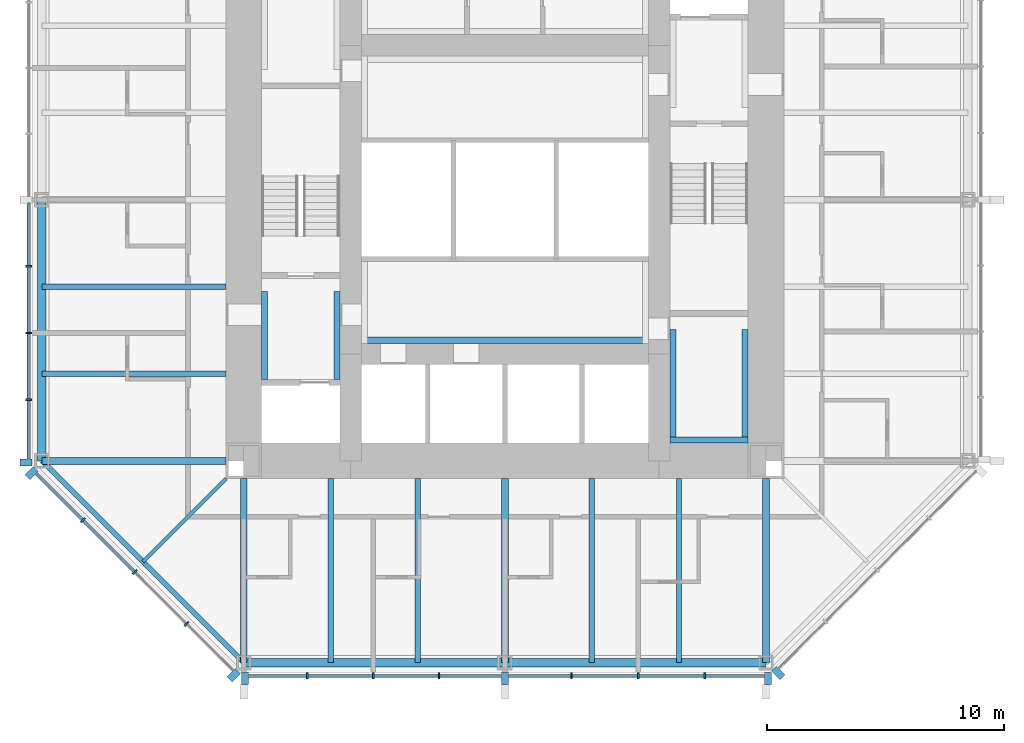
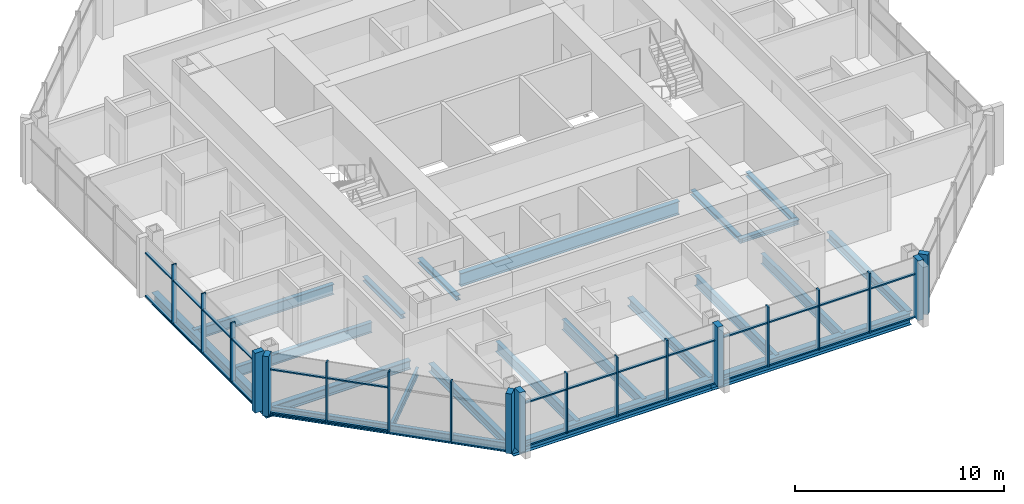
# One storey, part 2 of 12: 47 members, 21 beams, 4 elements without a shape of their own.
"""IFC4 building model written with IfcOpenShell, lengths in metres."""

from ifc_helpers import new_model, si_unit, direction, frame, origin, origin_2d, place, context, subcontext, project, spatial, rectangle, i_section, extrude, material, material_profile, profile_set, type_object, element, aggregate, save


model = new_model("IFC4")

# Units and contexts
model_context = context("Model", 3, precision=1e-05, world=origin(), true_north=direction((0.0, 1.0)))
body_context = subcontext(model_context, "Body", "Model", "MODEL_VIEW")
ifc_project = project(units=[si_unit("LENGTHUNIT", "METRE"), si_unit("AREAUNIT", "SQUARE_METRE"), si_unit("VOLUMEUNIT", "CUBIC_METRE"), si_unit("PLANEANGLEUNIT", "RADIAN"), si_unit("MASSUNIT", "GRAM", prefix="KILO")], contexts=[model_context])

# Site, building, storey
site_placement = place(None, origin())
site = spatial("IfcSite", under=ifc_project, at=site_placement, CompositionType="ELEMENT")
building_placement = place(site_placement, origin())
building = spatial("IfcBuilding", under=site, at=building_placement, Name="Trevanion Tower", CompositionType="ELEMENT")
storey_placement = place(building_placement, frame((0.0, 0.0, 197.699951171875)))
storey = spatial("IfcBuildingStorey", under=building, at=storey_placement, Name="L46", CompositionType="ELEMENT", Elevation=197.699951171875)

# Beams
ifc_material_1 = material(Name="Steel ASTM A992 Grade 50", Category="steel")
ifc_material_profile_1 = material_profile(ifc_material_1, i_section(OverallWidth=0.228271484375, OverallDepth=0.607177734375, WebThickness=0.01123046875, FlangeThickness=0.017333984375, at=origin_2d()), Name="W24X76")
ifc_profile_set_1 = profile_set([ifc_material_profile_1], Name="Steel ASTM A992 Grade 50")
beam_type_1 = type_object("IfcBeamType", Name="B11 W24X76", PredefinedType="BEAM", material=ifc_profile_set_1)
for number, where, z_axis, x_axis, name in (
    (1, (-11.75, -3.666748046875, -0.493408203125), (-1.0, 0.0, 0.0), (0.0, -1.0, 0.0), "B11 L46"),
    (2, (-11.75, -7.333251953125, -0.493408203125), (-1.0, 0.0, 0.0), (0.0, -1.0, 0.0), "B11 L46"),
    (3, (-7.333251953125, -11.75, -0.493408203125), (0.0, -1.0, 0.0), (1.0, 0.0, 0.0), "B11 L46"),
    (4, (-3.666748046875, -11.75, -0.493408203125), (0.0, -1.0, 0.0), (1.0, 0.0, 0.0), "B11 L46"),
    (5, (3.666748046875, -11.75, -0.493408203125), (0.0, -1.0, 0.0), (1.0, 0.0, 0.0), "B11 L46"),
    (6, (7.333251953125, -11.75, -0.493408203125), (0.0, -1.0, 0.0), (1.0, 0.0, 0.0), "B11 L46"),
):
    element("IfcBeam", number, at=place(storey_placement, frame(where, z_axis=z_axis, x_axis=x_axis)), inside=storey, type_object=beam_type_1, Name=name, PredefinedType="BEAM", context=body_context, shape_type="SweptSolid", body=[
        extrude(i_section(OverallWidth=0.228271484375, OverallDepth=0.607177734375, WebThickness=0.01123046875, FlangeThickness=0.017333984375, at=origin_2d()), origin(), (0.0, 0.0, 1.0), 7.75),
    ])
ifc_material_2 = material(Name="Steel ASTM A992 Grade 50", Category="steel")
ifc_material_profile_2 = material_profile(ifc_material_2, i_section(OverallWidth=0.15234375, OverallDepth=0.449462890625, WebThickness=0.007568359375, FlangeThickness=0.0107421875, at=origin_2d()), Name="W18X35")
ifc_profile_set_2 = profile_set([ifc_material_profile_2], Name="Steel ASTM A992 Grade 50")
beam_type_2 = type_object("IfcBeamType", Name="B12 W18X35", PredefinedType="BEAM", material=ifc_profile_set_2)
beam_1_placement = place(storey_placement, frame((-11.75, -11.75, -0.414794921875), z_axis=(-0.707106781187, -0.707106781187, 0.0), x_axis=(0.707106781187, -0.707106781187, 0.0)))
element("IfcBeam", 7, at=beam_1_placement, inside=storey, type_object=beam_type_2, Name="B12 L46", PredefinedType="BEAM", context=body_context, shape_type="SweptSolid", body=[
    extrude(i_section(OverallWidth=0.15234375, OverallDepth=0.449462890625, WebThickness=0.007568359375, FlangeThickness=0.0107421875, at=origin_2d()), origin(), (0.0, 0.0, 1.0), 4.94970703125),
])

# Curtain wall, members
ifc_material_3 = material(Name="Aluminium and glass", Category="aluminium")
curtain_wall_type = type_object("IfcCurtainWallType", Name="CW3 curtain wall", PredefinedType="USERDEFINED", material=ifc_material_3)
curtain_wall_1_placement = place(storey_placement, origin())
curtain_wall_1 = element("IfcCurtainWall", 8, at=curtain_wall_1_placement, inside=storey, type_object=curtain_wall_type, Name="CW3 L46 4", ObjectType="UNITISED CURTAIN WALL", PredefinedType="USERDEFINED")
ifc_material_4 = material(Name="Aluminium extrusion, anodised bronze", Category="aluminium")
ifc_material_profile_3 = material_profile(ifc_material_4, rectangle(XDim=0.074951171875, YDim=0.25, at=origin_2d()), Name="CW3 mullion")
ifc_profile_set_3 = profile_set([ifc_material_profile_3], Name="Aluminium extrusion, anodised bronze")
member_type_1 = type_object("IfcMemberType", Name="CW3 mullion", PredefinedType="MULLION", material=ifc_profile_set_3)
member_1_placement = place(storey_placement, frame((-20.050048828125, -2.806884765625, -0.18994140625), z_axis=(0.0, 0.0, 1.0), x_axis=(0.0, -1.0, 0.0)))
member_1 = element("IfcMember", 9, at=member_1_placement, type_object=member_type_1, Name="CW3 mullion 6", PredefinedType="MULLION", context=body_context, shape_type="SweptSolid", body=[
    extrude(rectangle(XDim=0.074951171875, YDim=0.25, at=origin_2d()), origin(), (0.0, 0.0, 1.0), 3.5),
])
member_2_placement = place(storey_placement, frame((-20.050048828125, -5.614013671875, -0.18994140625), z_axis=(0.0, 0.0, 1.0), x_axis=(0.0, -1.0, 0.0)))
member_2 = element("IfcMember", 10, at=member_2_placement, type_object=member_type_1, Name="CW3 mullion 7", PredefinedType="MULLION", context=body_context, shape_type="SweptSolid", body=[
    extrude(rectangle(XDim=0.074951171875, YDim=0.25, at=origin_2d()), origin(), (0.0, 0.0, 1.0), 3.5),
])
member_3_placement = place(storey_placement, frame((-20.050048828125, -8.4208984375, -0.18994140625), z_axis=(0.0, 0.0, 1.0), x_axis=(0.0, -1.0, 0.0)))
member_3 = element("IfcMember", 11, at=member_3_placement, type_object=member_type_1, Name="CW3 mullion 8", PredefinedType="MULLION", context=body_context, shape_type="SweptSolid", body=[
    extrude(rectangle(XDim=0.074951171875, YDim=0.25, at=origin_2d()), origin(), (0.0, 0.0, 1.0), 3.5),
])

curtain_wall_2_placement = place(storey_placement, origin())
curtain_wall_2 = element("IfcCurtainWall", 12, at=curtain_wall_2_placement, inside=storey, type_object=curtain_wall_type, Name="CW3 L46 5", ObjectType="UNITISED CURTAIN WALL", PredefinedType="USERDEFINED")
member_4_placement = place(storey_placement, frame((-17.775390625, -13.502197265625, -0.18994140625), z_axis=(0.0, 0.0, 1.0), x_axis=(0.707106781187, -0.707106781187, 0.0)))
member_4 = element("IfcMember", 13, at=member_4_placement, type_object=member_type_1, Name="CW3 mullion 2", PredefinedType="MULLION", context=body_context, shape_type="SweptSolid", body=[
    extrude(rectangle(XDim=0.074951171875, YDim=0.25, at=origin_2d()), origin(), (0.0, 0.0, 1.0), 3.5),
])
member_5_placement = place(storey_placement, frame((-15.593017578125, -15.684814453125, -0.18994140625), z_axis=(0.0, 0.0, 1.0), x_axis=(0.707106781187, -0.707106781187, 0.0)))
member_5 = element("IfcMember", 14, at=member_5_placement, type_object=member_type_1, Name="CW3 mullion 3", PredefinedType="MULLION", context=body_context, shape_type="SweptSolid", body=[
    extrude(rectangle(XDim=0.074951171875, YDim=0.25, at=origin_2d()), origin(), (0.0, 0.0, 1.0), 3.5),
])
member_6_placement = place(storey_placement, frame((-13.410400390625, -17.867431640625, -0.18994140625), z_axis=(0.0, 0.0, 1.0), x_axis=(0.707106781187, -0.707106781187, 0.0)))
member_6 = element("IfcMember", 15, at=member_6_placement, type_object=member_type_1, Name="CW3 mullion 4", PredefinedType="MULLION", context=body_context, shape_type="SweptSolid", body=[
    extrude(rectangle(XDim=0.074951171875, YDim=0.25, at=origin_2d()), origin(), (0.0, 0.0, 1.0), 3.5),
])

curtain_wall_3_placement = place(storey_placement, origin())
curtain_wall_3 = element("IfcCurtainWall", 16, at=curtain_wall_3_placement, inside=storey, type_object=curtain_wall_type, Name="CW3 L46 6", ObjectType="UNITISED CURTAIN WALL", PredefinedType="USERDEFINED")
member_7_placement = place(storey_placement, frame((-8.323486328125, -20.050048828125, -0.18994140625), z_axis=(0.0, 0.0, 1.0), x_axis=(1.0, 0.0, 0.0)))
member_7 = element("IfcMember", 17, at=member_7_placement, type_object=member_type_1, Name="CW3 mullion 2", PredefinedType="MULLION", context=body_context, shape_type="SweptSolid", body=[
    extrude(rectangle(XDim=0.074951171875, YDim=0.25, at=origin_2d()), origin(), (0.0, 0.0, 1.0), 3.5),
])
member_8_placement = place(storey_placement, frame((-5.548828125, -20.050048828125, -0.18994140625), z_axis=(0.0, 0.0, 1.0), x_axis=(1.0, 0.0, 0.0)))
member_8 = element("IfcMember", 18, at=member_8_placement, type_object=member_type_1, Name="CW3 mullion 3", PredefinedType="MULLION", context=body_context, shape_type="SweptSolid", body=[
    extrude(rectangle(XDim=0.074951171875, YDim=0.25, at=origin_2d()), origin(), (0.0, 0.0, 1.0), 3.5),
])
member_9_placement = place(storey_placement, frame((-2.7744140625, -20.050048828125, -0.18994140625), z_axis=(0.0, 0.0, 1.0), x_axis=(1.0, 0.0, 0.0)))
member_9 = element("IfcMember", 19, at=member_9_placement, type_object=member_type_1, Name="CW3 mullion 4", PredefinedType="MULLION", context=body_context, shape_type="SweptSolid", body=[
    extrude(rectangle(XDim=0.074951171875, YDim=0.25, at=origin_2d()), origin(), (0.0, 0.0, 1.0), 3.5),
])
member_10_placement = place(storey_placement, frame((2.806884765625, -20.050048828125, -0.18994140625), z_axis=(0.0, 0.0, 1.0), x_axis=(1.0, 0.0, 0.0)))
member_10 = element("IfcMember", 20, at=member_10_placement, type_object=member_type_1, Name="CW3 mullion 6", PredefinedType="MULLION", context=body_context, shape_type="SweptSolid", body=[
    extrude(rectangle(XDim=0.074951171875, YDim=0.25, at=origin_2d()), origin(), (0.0, 0.0, 1.0), 3.5),
])
member_11_placement = place(storey_placement, frame((5.614013671875, -20.050048828125, -0.18994140625), z_axis=(0.0, 0.0, 1.0), x_axis=(1.0, 0.0, 0.0)))
member_11 = element("IfcMember", 21, at=member_11_placement, type_object=member_type_1, Name="CW3 mullion 7", PredefinedType="MULLION", context=body_context, shape_type="SweptSolid", body=[
    extrude(rectangle(XDim=0.074951171875, YDim=0.25, at=origin_2d()), origin(), (0.0, 0.0, 1.0), 3.5),
])
member_12_placement = place(storey_placement, frame((8.4208984375, -20.050048828125, -0.18994140625), z_axis=(0.0, 0.0, 1.0), x_axis=(1.0, 0.0, 0.0)))
member_12 = element("IfcMember", 22, at=member_12_placement, type_object=member_type_1, Name="CW3 mullion 8", PredefinedType="MULLION", context=body_context, shape_type="SweptSolid", body=[
    extrude(rectangle(XDim=0.074951171875, YDim=0.25, at=origin_2d()), origin(), (0.0, 0.0, 1.0), 3.5),
])

# Member
ifc_material_5 = material(Name="Aluminium extrusion, anodised bronze", Category="aluminium")
ifc_material_profile_4 = material_profile(ifc_material_5, rectangle(XDim=0.300048828125, YDim=0.5, at=origin_2d()), Name="CW3 pier mullion")
ifc_profile_set_4 = profile_set([ifc_material_profile_4], Name="Aluminium extrusion, anodised bronze")
member_type_2 = type_object("IfcMemberType", Name="CW3 pier mullion", PredefinedType="MULLION", material=ifc_profile_set_4)
member_13_placement = place(storey_placement, frame((-20.175048828125, -11.077880859375, -0.18994140625), z_axis=(0.0, 0.0, 1.0), x_axis=(0.0, -1.0, 0.0)))
member_13 = element("IfcMember", 23, at=member_13_placement, type_object=member_type_2, Name="CW3 pier mullion 9", PredefinedType="MULLION", context=body_context, shape_type="SweptSolid", body=[
    extrude(rectangle(XDim=0.300048828125, YDim=0.5, at=origin_2d()), origin(), (0.0, 0.0, 1.0), 3.5),
])

member_14_placement = place(storey_placement, frame((-19.9404296875, -11.51416015625, -0.18994140625), z_axis=(0.0, 0.0, 1.0), x_axis=(0.707106781187, -0.707106781187, 0.0)))
member_14 = element("IfcMember", 24, at=member_14_placement, type_object=member_type_2, Name="CW3 pier mullion 1", PredefinedType="MULLION", context=body_context, shape_type="SweptSolid", body=[
    extrude(rectangle(XDim=0.300048828125, YDim=0.5, at=origin_2d()), origin(), (0.0, 0.0, 1.0), 3.5),
])

member_15_placement = place(storey_placement, frame((-11.42236328125, -20.0322265625, -0.18994140625), z_axis=(0.0, 0.0, 1.0), x_axis=(0.707106781187, -0.707106781187, 0.0)))
member_15 = element("IfcMember", 25, at=member_15_placement, type_object=member_type_2, Name="CW3 pier mullion 5", PredefinedType="MULLION", context=body_context, shape_type="SweptSolid", body=[
    extrude(rectangle(XDim=0.300048828125, YDim=0.5, at=origin_2d()), origin(), (0.0, 0.0, 1.0), 3.5),
])

member_16_placement = place(storey_placement, frame((-10.94775390625, -20.175048828125, -0.18994140625), z_axis=(0.0, 0.0, 1.0), x_axis=(1.0, 0.0, 0.0)))
member_16 = element("IfcMember", 26, at=member_16_placement, type_object=member_type_2, Name="CW3 pier mullion 1", PredefinedType="MULLION", context=body_context, shape_type="SweptSolid", body=[
    extrude(rectangle(XDim=0.300048828125, YDim=0.5, at=origin_2d()), origin(), (0.0, 0.0, 1.0), 3.5),
])

member_17_placement = place(storey_placement, frame((0.0, -20.175048828125, -0.18994140625), z_axis=(0.0, 0.0, 1.0), x_axis=(1.0, 0.0, 0.0)))
member_17 = element("IfcMember", 27, at=member_17_placement, type_object=member_type_2, Name="CW3 pier mullion 5", PredefinedType="MULLION", context=body_context, shape_type="SweptSolid", body=[
    extrude(rectangle(XDim=0.300048828125, YDim=0.5, at=origin_2d()), origin(), (0.0, 0.0, 1.0), 3.5),
])

member_18_placement = place(storey_placement, frame((11.077880859375, -20.175048828125, -0.18994140625), z_axis=(0.0, 0.0, 1.0), x_axis=(1.0, 0.0, 0.0)))
member_18 = element("IfcMember", 28, at=member_18_placement, type_object=member_type_2, Name="CW3 pier mullion 9", PredefinedType="MULLION", context=body_context, shape_type="SweptSolid", body=[
    extrude(rectangle(XDim=0.300048828125, YDim=0.5, at=origin_2d()), origin(), (0.0, 0.0, 1.0), 3.5),
])

# Curtain wall, member
curtain_wall_4_placement = place(storey_placement, origin())
curtain_wall_4 = element("IfcCurtainWall", 29, at=curtain_wall_4_placement, inside=storey, type_object=curtain_wall_type, Name="CW3 L46 7", ObjectType="UNITISED CURTAIN WALL", PredefinedType="USERDEFINED")
member_19_placement = place(storey_placement, frame((11.51416015625, -19.9404296875, -0.18994140625), z_axis=(0.0, 0.0, 1.0), x_axis=(0.707106781187, 0.707106781187, 0.0)))
member_19 = element("IfcMember", 30, at=member_19_placement, type_object=member_type_2, Name="CW3 pier mullion 1", PredefinedType="MULLION", context=body_context, shape_type="SweptSolid", body=[
    extrude(rectangle(XDim=0.300048828125, YDim=0.5, at=origin_2d()), origin(), (0.0, 0.0, 1.0), 3.5),
])
aggregate(curtain_wall_4, [member_19])

# Member
ifc_material_6 = material(Name="Aluminium extrusion, anodised bronze", Category="aluminium")
ifc_material_profile_5 = material_profile(ifc_material_6, rectangle(XDim=0.14990234375, YDim=0.074951171875, at=origin_2d()), Name="CW3 transom")
ifc_profile_set_5 = profile_set([ifc_material_profile_5], Name="Aluminium extrusion, anodised bronze")
member_type_3 = type_object("IfcMemberType", Name="CW3 transom", PredefinedType="USERDEFINED", material=ifc_profile_set_5)
member_20_placement = place(storey_placement, frame((-20.050048828125, -0.14990234375, -0.15234375), z_axis=(0.0, -1.0, 0.0), x_axis=(1.0, 0.0, 0.0)))
member_20 = element("IfcMember", 31, at=member_20_placement, type_object=member_type_3, Name="CW3 transom 5.1", ObjectType="TRANSOM", PredefinedType="USERDEFINED", context=body_context, shape_type="SweptSolid", body=[
    extrude(rectangle(XDim=0.14990234375, YDim=0.074951171875, at=origin_2d()), origin(), (0.0, 0.0, 1.0), 2.619384765625),
])

member_21_placement = place(storey_placement, frame((-20.050048828125, -0.14990234375, 2.360107421875), z_axis=(0.0, -1.0, 0.0), x_axis=(1.0, 0.0, 0.0)))
member_21 = element("IfcMember", 32, at=member_21_placement, type_object=member_type_3, Name="CW3 transom 5.2", ObjectType="TRANSOM", PredefinedType="USERDEFINED", context=body_context, shape_type="SweptSolid", body=[
    extrude(rectangle(XDim=0.14990234375, YDim=0.074951171875, at=origin_2d()), origin(), (0.0, 0.0, 1.0), 2.619384765625),
])

member_22_placement = place(storey_placement, frame((-20.050048828125, -2.844482421875, -0.15234375), z_axis=(0.0, -1.0, 0.0), x_axis=(1.0, 0.0, 0.0)))
member_22 = element("IfcMember", 33, at=member_22_placement, type_object=member_type_3, Name="CW3 transom 6.1", ObjectType="TRANSOM", PredefinedType="USERDEFINED", context=body_context, shape_type="SweptSolid", body=[
    extrude(rectangle(XDim=0.14990234375, YDim=0.074951171875, at=origin_2d()), origin(), (0.0, 0.0, 1.0), 2.73193359375),
])

member_23_placement = place(storey_placement, frame((-20.050048828125, -2.844482421875, 2.360107421875), z_axis=(0.0, -1.0, 0.0), x_axis=(1.0, 0.0, 0.0)))
member_23 = element("IfcMember", 34, at=member_23_placement, type_object=member_type_3, Name="CW3 transom 6.2", ObjectType="TRANSOM", PredefinedType="USERDEFINED", context=body_context, shape_type="SweptSolid", body=[
    extrude(rectangle(XDim=0.14990234375, YDim=0.074951171875, at=origin_2d()), origin(), (0.0, 0.0, 1.0), 2.73193359375),
])

member_24_placement = place(storey_placement, frame((-20.050048828125, -5.6513671875, -0.15234375), z_axis=(0.0, -1.0, 0.0), x_axis=(1.0, 0.0, 0.0)))
member_24 = element("IfcMember", 35, at=member_24_placement, type_object=member_type_3, Name="CW3 transom 7.1", ObjectType="TRANSOM", PredefinedType="USERDEFINED", context=body_context, shape_type="SweptSolid", body=[
    extrude(rectangle(XDim=0.14990234375, YDim=0.074951171875, at=origin_2d()), origin(), (0.0, 0.0, 1.0), 2.73193359375),
])

member_25_placement = place(storey_placement, frame((-20.050048828125, -5.6513671875, 2.360107421875), z_axis=(0.0, -1.0, 0.0), x_axis=(1.0, 0.0, 0.0)))
member_25 = element("IfcMember", 36, at=member_25_placement, type_object=member_type_3, Name="CW3 transom 7.2", ObjectType="TRANSOM", PredefinedType="USERDEFINED", context=body_context, shape_type="SweptSolid", body=[
    extrude(rectangle(XDim=0.14990234375, YDim=0.074951171875, at=origin_2d()), origin(), (0.0, 0.0, 1.0), 2.73193359375),
])

member_26_placement = place(storey_placement, frame((-20.050048828125, -8.45849609375, -0.15234375), z_axis=(0.0, -1.0, 0.0), x_axis=(1.0, 0.0, 0.0)))
member_26 = element("IfcMember", 37, at=member_26_placement, type_object=member_type_3, Name="CW3 transom 8.1", ObjectType="TRANSOM", PredefinedType="USERDEFINED", context=body_context, shape_type="SweptSolid", body=[
    extrude(rectangle(XDim=0.14990234375, YDim=0.074951171875, at=origin_2d()), origin(), (0.0, 0.0, 1.0), 2.46923828125),
])

member_27_placement = place(storey_placement, frame((-20.050048828125, -8.45849609375, 2.360107421875), z_axis=(0.0, -1.0, 0.0), x_axis=(1.0, 0.0, 0.0)))
member_27 = element("IfcMember", 38, at=member_27_placement, type_object=member_type_3, Name="CW3 transom 8.2", ObjectType="TRANSOM", PredefinedType="USERDEFINED", context=body_context, shape_type="SweptSolid", body=[
    extrude(rectangle(XDim=0.14990234375, YDim=0.074951171875, at=origin_2d()), origin(), (0.0, 0.0, 1.0), 2.46923828125),
])

aggregate(curtain_wall_1, [member_1, member_2, member_3, member_13, member_20, member_21, member_22, member_23, member_24, member_25, member_26, member_27])

member_28_placement = place(storey_placement, frame((-19.745849609375, -11.531982421875, -0.15234375), z_axis=(0.707106781187, -0.707106781187, 0.0), x_axis=(0.707106781187, 0.707106781187, 0.0)))
member_28 = element("IfcMember", 39, at=member_28_placement, type_object=member_type_3, Name="CW3 transom 1.1", ObjectType="TRANSOM", PredefinedType="USERDEFINED", context=body_context, shape_type="SweptSolid", body=[
    extrude(rectangle(XDim=0.14990234375, YDim=0.074951171875, at=origin_2d()), origin(), (0.0, 0.0, 1.0), 2.7490234375),
])

member_29_placement = place(storey_placement, frame((-19.745849609375, -11.531982421875, 2.360107421875), z_axis=(0.707106781187, -0.707106781187, 0.0), x_axis=(0.707106781187, 0.707106781187, 0.0)))
member_29 = element("IfcMember", 40, at=member_29_placement, type_object=member_type_3, Name="CW3 transom 1.2", ObjectType="TRANSOM", PredefinedType="USERDEFINED", context=body_context, shape_type="SweptSolid", body=[
    extrude(rectangle(XDim=0.14990234375, YDim=0.074951171875, at=origin_2d()), origin(), (0.0, 0.0, 1.0), 2.7490234375),
])

member_30_placement = place(storey_placement, frame((-17.7490234375, -13.52880859375, -0.15234375), z_axis=(0.707106781187, -0.707106781187, 0.0), x_axis=(0.707106781187, 0.707106781187, 0.0)))
member_30 = element("IfcMember", 41, at=member_30_placement, type_object=member_type_3, Name="CW3 transom 2.1", ObjectType="TRANSOM", PredefinedType="USERDEFINED", context=body_context, shape_type="SweptSolid", body=[
    extrude(rectangle(XDim=0.14990234375, YDim=0.074951171875, at=origin_2d()), origin(), (0.0, 0.0, 1.0), 3.01171875),
])

member_31_placement = place(storey_placement, frame((-17.7490234375, -13.52880859375, 2.360107421875), z_axis=(0.707106781187, -0.707106781187, 0.0), x_axis=(0.707106781187, 0.707106781187, 0.0)))
member_31 = element("IfcMember", 42, at=member_31_placement, type_object=member_type_3, Name="CW3 transom 2.2", ObjectType="TRANSOM", PredefinedType="USERDEFINED", context=body_context, shape_type="SweptSolid", body=[
    extrude(rectangle(XDim=0.14990234375, YDim=0.074951171875, at=origin_2d()), origin(), (0.0, 0.0, 1.0), 3.01171875),
])

aggregate(curtain_wall_2, [member_14, member_4, member_5, member_6, member_15, member_28, member_29, member_30, member_31])

member_32_placement = place(storey_placement, frame((-10.7978515625, -20.050048828125, -0.15234375), z_axis=(1.0, 0.0, 0.0), x_axis=(0.0, 1.0, 0.0)))
member_32 = element("IfcMember", 43, at=member_32_placement, type_object=member_type_3, Name="CW3 transom 1.1", ObjectType="TRANSOM", PredefinedType="USERDEFINED", context=body_context, shape_type="SweptSolid", body=[
    extrude(rectangle(XDim=0.14990234375, YDim=0.074951171875, at=origin_2d()), origin(), (0.0, 0.0, 1.0), 2.43701171875),
])

member_33_placement = place(storey_placement, frame((-10.7978515625, -20.050048828125, 2.360107421875), z_axis=(1.0, 0.0, 0.0), x_axis=(0.0, 1.0, 0.0)))
member_33 = element("IfcMember", 44, at=member_33_placement, type_object=member_type_3, Name="CW3 transom 1.2", ObjectType="TRANSOM", PredefinedType="USERDEFINED", context=body_context, shape_type="SweptSolid", body=[
    extrude(rectangle(XDim=0.14990234375, YDim=0.074951171875, at=origin_2d()), origin(), (0.0, 0.0, 1.0), 2.43701171875),
])

member_34_placement = place(storey_placement, frame((-8.285888671875, -20.050048828125, -0.15234375), z_axis=(1.0, 0.0, 0.0), x_axis=(0.0, 1.0, 0.0)))
member_34 = element("IfcMember", 45, at=member_34_placement, type_object=member_type_3, Name="CW3 transom 2.1", ObjectType="TRANSOM", PredefinedType="USERDEFINED", context=body_context, shape_type="SweptSolid", body=[
    extrude(rectangle(XDim=0.14990234375, YDim=0.074951171875, at=origin_2d()), origin(), (0.0, 0.0, 1.0), 2.699462890625),
])

member_35_placement = place(storey_placement, frame((-8.285888671875, -20.050048828125, 2.360107421875), z_axis=(1.0, 0.0, 0.0), x_axis=(0.0, 1.0, 0.0)))
member_35 = element("IfcMember", 46, at=member_35_placement, type_object=member_type_3, Name="CW3 transom 2.2", ObjectType="TRANSOM", PredefinedType="USERDEFINED", context=body_context, shape_type="SweptSolid", body=[
    extrude(rectangle(XDim=0.14990234375, YDim=0.074951171875, at=origin_2d()), origin(), (0.0, 0.0, 1.0), 2.699462890625),
])

member_36_placement = place(storey_placement, frame((-5.511474609375, -20.050048828125, -0.15234375), z_axis=(1.0, 0.0, 0.0), x_axis=(0.0, 1.0, 0.0)))
member_36 = element("IfcMember", 47, at=member_36_placement, type_object=member_type_3, Name="CW3 transom 3.1", ObjectType="TRANSOM", PredefinedType="USERDEFINED", context=body_context, shape_type="SweptSolid", body=[
    extrude(rectangle(XDim=0.14990234375, YDim=0.074951171875, at=origin_2d()), origin(), (0.0, 0.0, 1.0), 2.699462890625),
])

member_37_placement = place(storey_placement, frame((-5.511474609375, -20.050048828125, 2.360107421875), z_axis=(1.0, 0.0, 0.0), x_axis=(0.0, 1.0, 0.0)))
member_37 = element("IfcMember", 48, at=member_37_placement, type_object=member_type_3, Name="CW3 transom 3.2", ObjectType="TRANSOM", PredefinedType="USERDEFINED", context=body_context, shape_type="SweptSolid", body=[
    extrude(rectangle(XDim=0.14990234375, YDim=0.074951171875, at=origin_2d()), origin(), (0.0, 0.0, 1.0), 2.699462890625),
])

member_38_placement = place(storey_placement, frame((-2.737060546875, -20.050048828125, -0.15234375), z_axis=(1.0, 0.0, 0.0), x_axis=(0.0, 1.0, 0.0)))
member_38 = element("IfcMember", 49, at=member_38_placement, type_object=member_type_3, Name="CW3 transom 4.1", ObjectType="TRANSOM", PredefinedType="USERDEFINED", context=body_context, shape_type="SweptSolid", body=[
    extrude(rectangle(XDim=0.14990234375, YDim=0.074951171875, at=origin_2d()), origin(), (0.0, 0.0, 1.0), 2.587158203125),
])

member_39_placement = place(storey_placement, frame((-2.737060546875, -20.050048828125, 2.360107421875), z_axis=(1.0, 0.0, 0.0), x_axis=(0.0, 1.0, 0.0)))
member_39 = element("IfcMember", 50, at=member_39_placement, type_object=member_type_3, Name="CW3 transom 4.2", ObjectType="TRANSOM", PredefinedType="USERDEFINED", context=body_context, shape_type="SweptSolid", body=[
    extrude(rectangle(XDim=0.14990234375, YDim=0.074951171875, at=origin_2d()), origin(), (0.0, 0.0, 1.0), 2.587158203125),
])

member_40_placement = place(storey_placement, frame((0.14990234375, -20.050048828125, -0.15234375), z_axis=(1.0, 0.0, 0.0), x_axis=(0.0, 1.0, 0.0)))
member_40 = element("IfcMember", 51, at=member_40_placement, type_object=member_type_3, Name="CW3 transom 5.1", ObjectType="TRANSOM", PredefinedType="USERDEFINED", context=body_context, shape_type="SweptSolid", body=[
    extrude(rectangle(XDim=0.14990234375, YDim=0.074951171875, at=origin_2d()), origin(), (0.0, 0.0, 1.0), 2.619384765625),
])

member_41_placement = place(storey_placement, frame((0.14990234375, -20.050048828125, 2.360107421875), z_axis=(1.0, 0.0, 0.0), x_axis=(0.0, 1.0, 0.0)))
member_41 = element("IfcMember", 52, at=member_41_placement, type_object=member_type_3, Name="CW3 transom 5.2", ObjectType="TRANSOM", PredefinedType="USERDEFINED", context=body_context, shape_type="SweptSolid", body=[
    extrude(rectangle(XDim=0.14990234375, YDim=0.074951171875, at=origin_2d()), origin(), (0.0, 0.0, 1.0), 2.619384765625),
])

member_42_placement = place(storey_placement, frame((2.844482421875, -20.050048828125, -0.15234375), z_axis=(1.0, 0.0, 0.0), x_axis=(0.0, 1.0, 0.0)))
member_42 = element("IfcMember", 53, at=member_42_placement, type_object=member_type_3, Name="CW3 transom 6.1", ObjectType="TRANSOM", PredefinedType="USERDEFINED", context=body_context, shape_type="SweptSolid", body=[
    extrude(rectangle(XDim=0.14990234375, YDim=0.074951171875, at=origin_2d()), origin(), (0.0, 0.0, 1.0), 2.73193359375),
])

member_43_placement = place(storey_placement, frame((2.844482421875, -20.050048828125, 2.360107421875), z_axis=(1.0, 0.0, 0.0), x_axis=(0.0, 1.0, 0.0)))
member_43 = element("IfcMember", 54, at=member_43_placement, type_object=member_type_3, Name="CW3 transom 6.2", ObjectType="TRANSOM", PredefinedType="USERDEFINED", context=body_context, shape_type="SweptSolid", body=[
    extrude(rectangle(XDim=0.14990234375, YDim=0.074951171875, at=origin_2d()), origin(), (0.0, 0.0, 1.0), 2.73193359375),
])

member_44_placement = place(storey_placement, frame((5.6513671875, -20.050048828125, -0.15234375), z_axis=(1.0, 0.0, 0.0), x_axis=(0.0, 1.0, 0.0)))
member_44 = element("IfcMember", 55, at=member_44_placement, type_object=member_type_3, Name="CW3 transom 7.1", ObjectType="TRANSOM", PredefinedType="USERDEFINED", context=body_context, shape_type="SweptSolid", body=[
    extrude(rectangle(XDim=0.14990234375, YDim=0.074951171875, at=origin_2d()), origin(), (0.0, 0.0, 1.0), 2.73193359375),
])

member_45_placement = place(storey_placement, frame((5.6513671875, -20.050048828125, 2.360107421875), z_axis=(1.0, 0.0, 0.0), x_axis=(0.0, 1.0, 0.0)))
member_45 = element("IfcMember", 56, at=member_45_placement, type_object=member_type_3, Name="CW3 transom 7.2", ObjectType="TRANSOM", PredefinedType="USERDEFINED", context=body_context, shape_type="SweptSolid", body=[
    extrude(rectangle(XDim=0.14990234375, YDim=0.074951171875, at=origin_2d()), origin(), (0.0, 0.0, 1.0), 2.73193359375),
])

member_46_placement = place(storey_placement, frame((8.45849609375, -20.050048828125, -0.15234375), z_axis=(1.0, 0.0, 0.0), x_axis=(0.0, 1.0, 0.0)))
member_46 = element("IfcMember", 57, at=member_46_placement, type_object=member_type_3, Name="CW3 transom 8.1", ObjectType="TRANSOM", PredefinedType="USERDEFINED", context=body_context, shape_type="SweptSolid", body=[
    extrude(rectangle(XDim=0.14990234375, YDim=0.074951171875, at=origin_2d()), origin(), (0.0, 0.0, 1.0), 2.46923828125),
])

member_47_placement = place(storey_placement, frame((8.45849609375, -20.050048828125, 2.360107421875), z_axis=(1.0, 0.0, 0.0), x_axis=(0.0, 1.0, 0.0)))
member_47 = element("IfcMember", 58, at=member_47_placement, type_object=member_type_3, Name="CW3 transom 8.2", ObjectType="TRANSOM", PredefinedType="USERDEFINED", context=body_context, shape_type="SweptSolid", body=[
    extrude(rectangle(XDim=0.14990234375, YDim=0.074951171875, at=origin_2d()), origin(), (0.0, 0.0, 1.0), 2.46923828125),
])

aggregate(curtain_wall_3, [member_16, member_7, member_8, member_9, member_17, member_10, member_11, member_12, member_18, member_32, member_33, member_34, member_35, member_36, member_37, member_38, member_39, member_40, member_41, member_42, member_43, member_44, member_45, member_46, member_47])

# Beams
ifc_material_7 = material(Name="Steel ASTM A992 Grade 50", Category="steel")
ifc_material_profile_6 = material_profile(ifc_material_7, i_section(OverallWidth=0.28955078125, OverallDepth=0.508056640625, WebThickness=0.022705078125, FlangeThickness=0.040283203125, at=origin_2d()), Name="W18X175")
ifc_profile_set_6 = profile_set([ifc_material_profile_6], Name="Steel ASTM A992 Grade 50")
beam_type_3 = type_object("IfcBeamType", Name="G6 W18X175", PredefinedType="BEAM", material=ifc_profile_set_6)
for number, where, z_axis, x_axis, name in (
    (59, (-11.75, -11.0, -0.44384765625), (-1.0, 0.0, 0.0), (0.0, -1.0, 0.0), "G6 L46"),
    (60, (-11.0, -11.75, -0.44384765625), (0.0, -1.0, 0.0), (1.0, 0.0, 0.0), "G6 L46"),
    (61, (0.0, -11.75, -0.44384765625), (0.0, -1.0, 0.0), (1.0, 0.0, 0.0), "G6 L46"),
    (62, (11.0, -11.75, -0.44384765625), (0.0, -1.0, 0.0), (1.0, 0.0, 0.0), "G6 L46"),
):
    element("IfcBeam", number, at=place(storey_placement, frame(where, z_axis=z_axis, x_axis=x_axis)), inside=storey, type_object=beam_type_3, Name=name, PredefinedType="BEAM", context=body_context, shape_type="SweptSolid", body=[
        extrude(i_section(OverallWidth=0.28955078125, OverallDepth=0.508056640625, WebThickness=0.022705078125, FlangeThickness=0.040283203125, at=origin_2d()), origin(), (0.0, 0.0, 1.0), 7.75),
    ])
ifc_material_8 = material(Name="Steel ASTM A992 Grade 50", Category="steel")
ifc_material_profile_7 = material_profile(ifc_material_8, i_section(OverallWidth=0.256591796875, OverallDepth=0.26416015625, WebThickness=0.011962890625, FlangeThickness=0.01953125, at=origin_2d()), Name="W10X68")
ifc_profile_set_7 = profile_set([ifc_material_profile_7], Name="Steel ASTM A992 Grade 50")
beam_type_4 = type_object("IfcBeamType", Name="LB1 W10X68", PredefinedType="BEAM", material=ifc_profile_set_7)
for number, where, z_axis, x_axis, name in (
    (63, (-10.12158203125, -7.574951171875, -0.33203125), (0.0, 1.0, 0.0), (-1.0, 0.0, 0.0), "LB1 L46"),
    (64, (-7.078369140625, -7.574951171875, -0.33203125), (0.0, 1.0, 0.0), (-1.0, 0.0, 0.0), "LB1 L46"),
):
    element("IfcBeam", number, at=place(storey_placement, frame(where, z_axis=z_axis, x_axis=x_axis)), inside=storey, type_object=beam_type_4, Name=name, PredefinedType="BEAM", context=body_context, shape_type="SweptSolid", body=[
        extrude(i_section(OverallWidth=0.256591796875, OverallDepth=0.26416015625, WebThickness=0.011962890625, FlangeThickness=0.01953125, at=origin_2d()), origin(), (0.0, 0.0, 1.0), 3.699951171875),
    ])
for number, where, z_axis, x_axis, name in (
    (65, (7.078369140625, -10.25, -0.33203125), (0.0, 1.0, 0.0), (-1.0, 0.0, 0.0), "LB1 L46"),
    (66, (10.12158203125, -10.25, -0.33203125), (0.0, 1.0, 0.0), (-1.0, 0.0, 0.0), "LB1 L46"),
):
    element("IfcBeam", number, at=place(storey_placement, frame(where, z_axis=z_axis, x_axis=x_axis)), inside=storey, type_object=beam_type_4, Name=name, PredefinedType="BEAM", context=body_context, shape_type="SweptSolid", body=[
        extrude(i_section(OverallWidth=0.256591796875, OverallDepth=0.26416015625, WebThickness=0.011962890625, FlangeThickness=0.01953125, at=origin_2d()), origin(), (0.0, 0.0, 1.0), 4.77490234375),
    ])
beam_2_placement = place(storey_placement, frame((6.949951171875, -10.12158203125, -0.33203125), z_axis=(1.0, 0.0, 0.0), x_axis=(0.0, 1.0, 0.0)))
element("IfcBeam", 67, at=beam_2_placement, inside=storey, type_object=beam_type_4, Name="LB1 L46", PredefinedType="BEAM", context=body_context, shape_type="SweptSolid", body=[
    extrude(i_section(OverallWidth=0.256591796875, OverallDepth=0.26416015625, WebThickness=0.011962890625, FlangeThickness=0.01953125, at=origin_2d()), origin(), (0.0, 0.0, 1.0), 3.300048828125),
])
ifc_material_9 = material(Name="Steel ASTM A992 Grade 50", Category="steel")
ifc_material_profile_8 = material_profile(ifc_material_9, i_section(OverallWidth=0.2666015625, OverallDepth=0.76953125, WebThickness=0.015625, FlangeThickness=0.025390625, at=origin_2d()), Name="W30X132")
ifc_profile_set_8 = profile_set([ifc_material_profile_8], Name="Steel ASTM A992 Grade 50")
beam_type_5 = type_object("IfcBeamType", Name="LB3 W30X132", PredefinedType="BEAM", material=ifc_profile_set_8)
beam_3_placement = place(storey_placement, frame((-6.050048828125, -5.91650390625, -0.584716796875), z_axis=(1.0, 0.0, 0.0), x_axis=(0.0, 1.0, 0.0)))
element("IfcBeam", 68, at=beam_3_placement, inside=storey, type_object=beam_type_5, Name="LB3 L46", PredefinedType="BEAM", context=body_context, shape_type="SweptSolid", body=[
    extrude(i_section(OverallWidth=0.2666015625, OverallDepth=0.76953125, WebThickness=0.015625, FlangeThickness=0.025390625, at=origin_2d()), origin(), (0.0, 0.0, 1.0), 12.10009765625),
])
ifc_material_10 = material(Name="Steel ASTM A992 Grade 50", Category="steel")
ifc_material_profile_9 = material_profile(ifc_material_10, i_section(OverallWidth=0.355712890625, OverallDepth=0.696044921875, WebThickness=0.015380859375, FlangeThickness=0.024658203125, at=origin_2d()), Name="W27X146")
ifc_profile_set_9 = profile_set([ifc_material_profile_9], Name="Steel ASTM A992 Grade 50")
beam_type_6 = type_object("IfcBeamType", Name="SB8 W27X146", PredefinedType="SPANDREL", material=ifc_profile_set_9)
for number, where, z_axis, x_axis, name in (
    (69, (-19.5, 0.0, -0.537841796875), (0.0, -1.0, 0.0), (1.0, 0.0, 0.0), "SB8 L46"),
    (70, (-11.0, -19.5, -0.537841796875), (1.0, 0.0, 0.0), (0.0, 1.0, 0.0), "SB8 L46"),
    (71, (0.0, -19.5, -0.537841796875), (1.0, 0.0, 0.0), (0.0, 1.0, 0.0), "SB8 L46"),
):
    element("IfcBeam", number, at=place(storey_placement, frame(where, z_axis=z_axis, x_axis=x_axis)), inside=storey, type_object=beam_type_6, Name=name, PredefinedType="SPANDREL", context=body_context, shape_type="SweptSolid", body=[
        extrude(i_section(OverallWidth=0.355712890625, OverallDepth=0.696044921875, WebThickness=0.015380859375, FlangeThickness=0.024658203125, at=origin_2d()), origin(), (0.0, 0.0, 1.0), 11.0),
    ])
ifc_material_11 = material(Name="Steel ASTM A992 Grade 50", Category="steel")
ifc_material_profile_10 = material_profile(ifc_material_11, i_section(OverallWidth=0.209228515625, OverallDepth=0.533447265625, WebThickness=0.01025390625, FlangeThickness=0.015625, at=origin_2d()), Name="W21X62")
ifc_profile_set_10 = profile_set([ifc_material_profile_10], Name="Steel ASTM A992 Grade 50")
beam_type_7 = type_object("IfcBeamType", Name="SB9 W21X62", PredefinedType="SPANDREL", material=ifc_profile_set_10)
beam_4_placement = place(storey_placement, frame((-19.5, -11.0, -0.45654296875), z_axis=(0.707106781187, -0.707106781187, 0.0), x_axis=(0.707106781187, 0.707106781187, 0.0)))
element("IfcBeam", 72, at=beam_4_placement, inside=storey, type_object=beam_type_7, Name="SB9 L46", PredefinedType="SPANDREL", context=body_context, shape_type="SweptSolid", body=[
    extrude(i_section(OverallWidth=0.209228515625, OverallDepth=0.533447265625, WebThickness=0.01025390625, FlangeThickness=0.015625, at=origin_2d()), origin(), (0.0, 0.0, 1.0), 12.020751953125),
])

save(model, "model.ifc")
